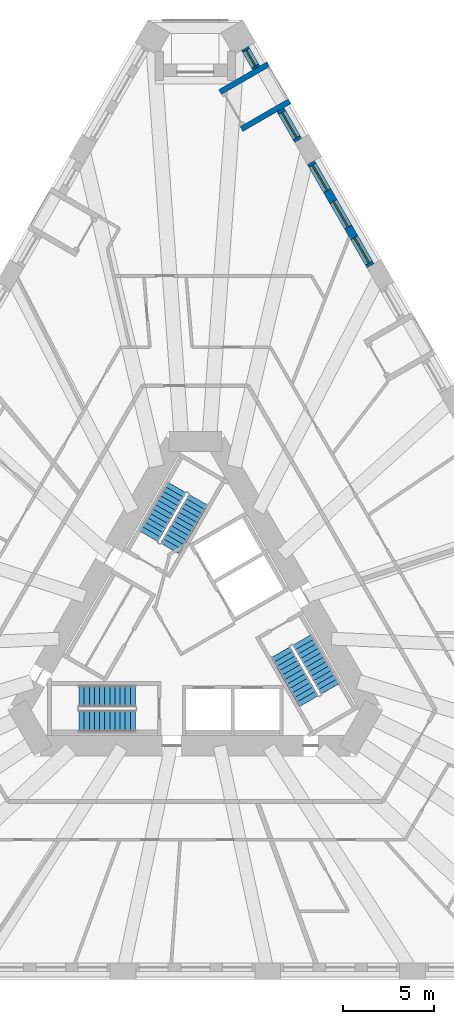
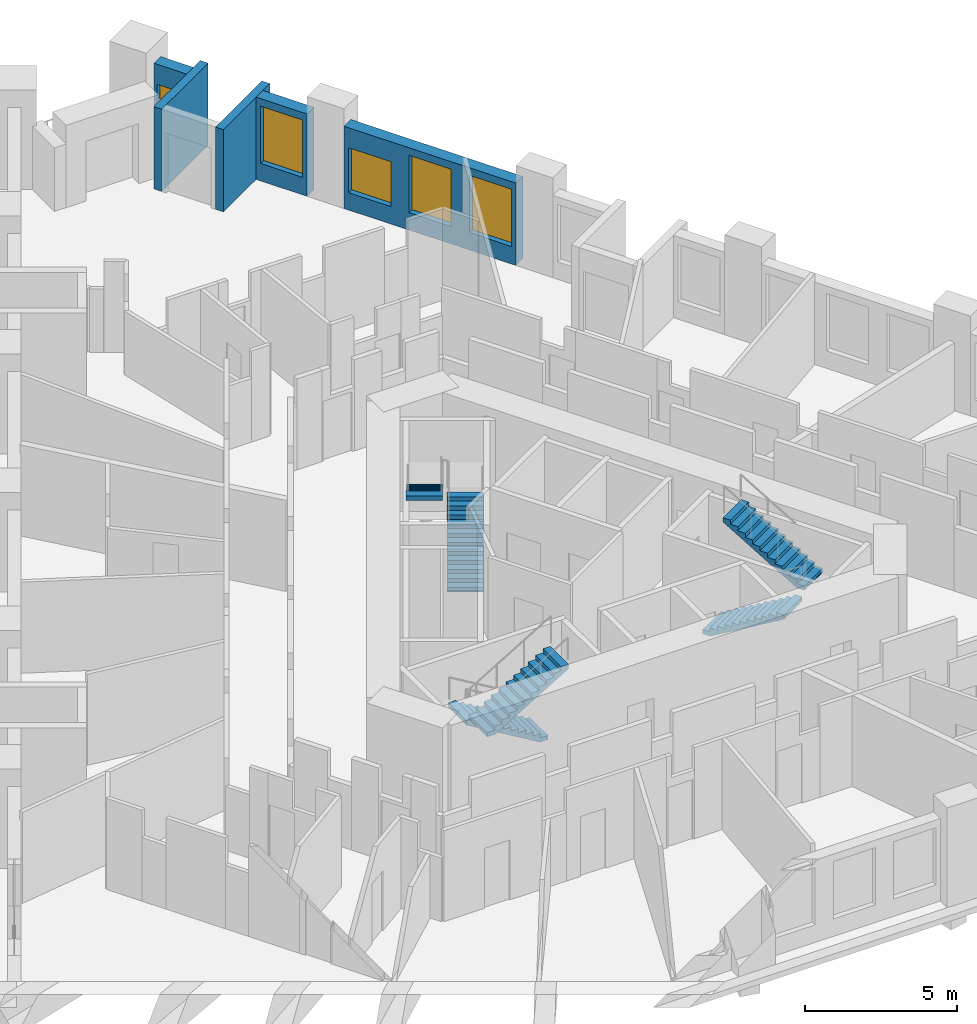
# One storey, part 10 of 14: 6 stair flights, 5 walls, 5 windows, 5 openings, 3 elements without a shape of their own.
"""IFC4 building model written with IfcOpenShell, lengths in metres."""

from ifc_helpers import new_model, si_unit, direction, frame, frame_2d, origin, place, context, subcontext, project, spatial, polyline, rectangle, outline, extrude, material, layer, layer_set, type_object, element, fill, aggregate, save


model = new_model("IFC4")

# Units and contexts
model_context = context("Model", 3, precision=1e-05, world=origin(), true_north=direction((0.0, 1.0)))
body_context = subcontext(model_context, "Body", "Model", "MODEL_VIEW")
ifc_project = project(units=[si_unit("LENGTHUNIT", "METRE"), si_unit("AREAUNIT", "SQUARE_METRE"), si_unit("VOLUMEUNIT", "CUBIC_METRE"), si_unit("PLANEANGLEUNIT", "RADIAN"), si_unit("MASSUNIT", "GRAM", prefix="KILO")], contexts=[model_context])

# Site, building, storey
site_placement = place(None, origin())
site = spatial("IfcSite", under=ifc_project, at=site_placement, CompositionType="ELEMENT")
building_placement = place(site_placement, origin())
building = spatial("IfcBuilding", under=site, at=building_placement, Name="Tramontana Tower", CompositionType="ELEMENT")
storey_placement = place(building_placement, frame((0.0, 0.0, 38.0)))
storey = spatial("IfcBuildingStorey", under=building, at=storey_placement, Name="L07", CompositionType="ELEMENT", Elevation=38.0)

# Wall, openings, windows
ifc_material_1 = material(Name="Precast concrete 60 MPa", Category="concrete")
ifc_layer_1 = layer(ifc_material_1, 0.449951171875)
ifc_layer_set_1 = layer_set([ifc_layer_1], Name="Precast concrete 60 MPa, 450 mm")
wall_type_1 = type_object("IfcWallType", Name="EW1 Stone-faced precast wall 450", PredefinedType="SOLIDWALL", material=ifc_layer_set_1)
wall_1_placement = place(storey_placement, frame((9.58154296875, 20.054443359375, 0.0), z_axis=(0.0, 0.0, 1.0), x_axis=(-0.500002371706, 0.866024034475, 0.0)))
wall_1 = element("IfcWall", 1, at=wall_1_placement, inside=storey, type_object=wall_type_1, Name="External wall L07 face 2 bay 6", PredefinedType="SOLIDWALL", context=body_context, shape_type="SweptSolid", body=[
    extrude(rectangle(XDim=6.51806640625, YDim=0.449951171875, at=frame_2d((3.259033203125, 0.0))), origin(), (0.0, 0.0, 1.0), 3.300048828125),
])
opening_1_placement = place(wall_1_placement, frame((0.169677734375, 0.0, 0.699951171875)))
opening_1 = element("IfcOpeningElement", 2, at=opening_1_placement, cuts=wall_1, Name="Opening M1", PredefinedType="OPENING", context=body_context, shape_type="SweptSolid", body=[
    extrude(rectangle(XDim=1.60009765625, YDim=2.300048828125, at=frame_2d((0.800048828125, 1.14990234375))), frame((0.0, 0.23486328125, 0.0), z_axis=(0.0, -1.0, 0.0), x_axis=(1.0, 0.0, 0.0)), (0.0, 0.0, 1.0), 0.469970703125),
])
opening_2_placement = place(wall_1_placement, frame((2.458984375, 0.0, 0.699951171875)))
opening_2 = element("IfcOpeningElement", 3, at=opening_2_placement, cuts=wall_1, Name="Opening M1", PredefinedType="OPENING", context=body_context, shape_type="SweptSolid", body=[
    extrude(rectangle(XDim=1.60009765625, YDim=2.300048828125, at=frame_2d((0.800048828125, 1.14990234375))), frame((0.0, 0.23486328125, 0.0), z_axis=(0.0, -1.0, 0.0), x_axis=(1.0, 0.0, 0.0)), (0.0, 0.0, 1.0), 0.469970703125),
])
opening_3_placement = place(wall_1_placement, frame((4.748291015625, 0.0, 0.699951171875)))
opening_3 = element("IfcOpeningElement", 4, at=opening_3_placement, cuts=wall_1, Name="Opening M1L", PredefinedType="OPENING", context=body_context, shape_type="SweptSolid", body=[
    extrude(rectangle(XDim=1.60009765625, YDim=1.800048828125, at=frame_2d((0.800048828125, 0.89990234375))), frame((0.0, 0.23486328125, 0.0), z_axis=(0.0, -1.0, 0.0), x_axis=(1.0, 0.0, 0.0)), (0.0, 0.0, 1.0), 0.469970703125),
])
ifc_material_2 = material(Name="Aluminum frame, double glazing unit", Category="aluminium")
window_type_1 = type_object("IfcWindowType", Name="M1 Window 1.6 x 2.3", PartitioningType="SINGLE_PANEL", PredefinedType="WINDOW", material=ifc_material_2)
window_1_placement = place(opening_1_placement, origin())
window_1 = element("IfcWindow", 5, at=window_1_placement, inside=storey, type_object=window_type_1, Name="Window M1 L07 face 2 module 16", OverallHeight=2.300048828125, OverallWidth=1.60009765625, PartitioningType="SINGLE_PANEL", PredefinedType="WINDOW", context=body_context, shape_type="SweptSolid", body=[
    extrude(rectangle(XDim=1.60009765625, YDim=2.300048828125, at=frame_2d((0.800048828125, 1.14990234375))), frame((0.0, 0.030029296875, 0.0), z_axis=(0.0, -1.0, 0.0), x_axis=(1.0, 0.0, 0.0)), (0.0, 0.0, 1.0), 0.06005859375),
])
fill(opening_1, window_1)
window_2_placement = place(opening_2_placement, origin())
window_2 = element("IfcWindow", 6, at=window_2_placement, inside=storey, type_object=window_type_1, Name="Window M1 L07 face 2 module 17", OverallHeight=2.300048828125, OverallWidth=1.60009765625, PartitioningType="SINGLE_PANEL", PredefinedType="WINDOW", context=body_context, shape_type="SweptSolid", body=[
    extrude(rectangle(XDim=1.60009765625, YDim=2.300048828125, at=frame_2d((0.800048828125, 1.14990234375))), frame((0.0, 0.030029296875, 0.0), z_axis=(0.0, -1.0, 0.0), x_axis=(1.0, 0.0, 0.0)), (0.0, 0.0, 1.0), 0.06005859375),
])
fill(opening_2, window_2)
ifc_material_3 = material(Name="Aluminum frame, double glazing unit", Category="aluminium")
window_type_2 = type_object("IfcWindowType", Name="M1L Window 1.6 x 1.8", PartitioningType="SINGLE_PANEL", PredefinedType="WINDOW", material=ifc_material_3)
window_3_placement = place(opening_3_placement, origin())
window_3 = element("IfcWindow", 7, at=window_3_placement, inside=storey, type_object=window_type_2, Name="Window M1L L07 face 2 module 18", OverallHeight=1.800048828125, OverallWidth=1.60009765625, PartitioningType="SINGLE_PANEL", PredefinedType="WINDOW", context=body_context, shape_type="SweptSolid", body=[
    extrude(rectangle(XDim=1.60009765625, YDim=1.800048828125, at=frame_2d((0.800048828125, 0.89990234375))), frame((0.0, 0.030029296875, 0.0), z_axis=(0.0, -1.0, 0.0), x_axis=(1.0, 0.0, 0.0)), (0.0, 0.0, 1.0), 0.06005859375),
])
fill(opening_3, window_3)

# Wall, opening, window
wall_2_placement = place(storey_placement, frame((5.62255859375, 26.91162109375, 0.0), z_axis=(0.0, 0.0, 1.0), x_axis=(-0.500038474733, 0.866003189247, 0.0)))
wall_2 = element("IfcWall", 8, at=wall_2_placement, inside=storey, type_object=wall_type_1, Name="External wall L07 face 2 bay 7", PredefinedType="SOLIDWALL", context=body_context, shape_type="SweptSolid", body=[
    extrude(rectangle(XDim=1.939208984375, YDim=0.449951171875, at=frame_2d((0.9697265625, 0.0))), origin(), (0.0, 0.0, 1.0), 3.300048828125),
])
opening_4_placement = place(wall_2_placement, frame((0.169677734375, 0.0, 0.699951171875)))
opening_4 = element("IfcOpeningElement", 9, at=opening_4_placement, cuts=wall_2, Name="Opening M1", PredefinedType="OPENING", context=body_context, shape_type="SweptSolid", body=[
    extrude(rectangle(XDim=1.60009765625, YDim=2.300048828125, at=frame_2d((0.800048828125, 1.14990234375))), frame((0.0, 0.23486328125, 0.0), z_axis=(0.0, -1.0, 0.0), x_axis=(1.0, 0.0, 0.0)), (0.0, 0.0, 1.0), 0.469970703125),
])
window_4_placement = place(opening_4_placement, origin())
window_4 = element("IfcWindow", 10, at=window_4_placement, inside=storey, type_object=window_type_1, Name="Window M1 L07 face 2 module 19", OverallHeight=2.300048828125, OverallWidth=1.60009765625, PartitioningType="SINGLE_PANEL", PredefinedType="WINDOW", context=body_context, shape_type="SweptSolid", body=[
    extrude(rectangle(XDim=1.60009765625, YDim=2.300048828125, at=frame_2d((0.800048828125, 1.14990234375))), frame((0.0, 0.030029296875, 0.0), z_axis=(0.0, -1.0, 0.0), x_axis=(1.0, 0.0, 0.0)), (0.0, 0.0, 1.0), 0.06005859375),
])
fill(opening_4, window_4)

wall_3_placement = place(storey_placement, frame((3.333251953125, 30.876708984375, 0.0), z_axis=(0.0, 0.0, 1.0), x_axis=(-0.499995303914, 0.866028115054, 0.0)))
wall_3 = element("IfcWall", 11, at=wall_3_placement, inside=storey, type_object=wall_type_1, Name="External wall L07 face 2 bay 7", PredefinedType="SOLIDWALL", context=body_context, shape_type="SweptSolid", body=[
    extrude(rectangle(XDim=1.2392578125, YDim=0.449951171875, at=frame_2d((0.61962890625, 0.0))), origin(), (0.0, 0.0, 1.0), 3.300048828125),
])
opening_5_placement = place(wall_3_placement, frame((0.11962890625, 0.0, 0.699951171875)))
opening_5 = element("IfcOpeningElement", 12, at=opening_5_placement, cuts=wall_3, Name="Opening N1L", PredefinedType="OPENING", context=body_context, shape_type="SweptSolid", body=[
    extrude(rectangle(XDim=1.0, YDim=1.800048828125, at=frame_2d((0.5, 0.89990234375))), frame((0.0, 0.23486328125, 0.0), z_axis=(0.0, -1.0, 0.0), x_axis=(1.0, 0.0, 0.0)), (0.0, 0.0, 1.0), 0.469970703125),
])
ifc_material_4 = material(Name="Aluminum frame, double glazing unit", Category="aluminium")
window_type_3 = type_object("IfcWindowType", Name="N1L Window 1 x 1.8", PartitioningType="SINGLE_PANEL", PredefinedType="WINDOW", material=ifc_material_4)
window_5_placement = place(opening_5_placement, origin())
window_5 = element("IfcWindow", 13, at=window_5_placement, inside=storey, type_object=window_type_3, Name="Window N1L L07 face 2 module 21", OverallHeight=1.800048828125, OverallWidth=1.0, PartitioningType="SINGLE_PANEL", PredefinedType="WINDOW", context=body_context, shape_type="SweptSolid", body=[
    extrude(rectangle(XDim=1.0, YDim=1.800048828125, at=frame_2d((0.5, 0.89990234375))), frame((0.0, 0.030029296875, 0.0), z_axis=(0.0, -1.0, 0.0), x_axis=(1.0, 0.0, 0.0)), (0.0, 0.0, 1.0), 0.06005859375),
])
fill(opening_5, window_5)

# Walls
ifc_material_5 = material(Name="Precast concrete 60 MPa", Category="concrete")
ifc_layer_2 = layer(ifc_material_5, 0.300048828125)
ifc_layer_set_2 = layer_set([ifc_layer_2], Name="LW1 Stone-faced loggia wall 300")
wall_type_2 = type_object("IfcWallType", Name="LW1 Stone-faced loggia wall 300", PredefinedType="SOLIDWALL", material=ifc_layer_set_2)
for number, where, z_axis, x_axis, name in (
    (14, (5.162353515625, 29.05859375, 0.0), (0.0, 0.0, 1.0), (-0.8660029625, -0.500038867431, 0.0), "Loggia return L07 G0S2.19a"),
    (15, (3.99267578125, 31.08447265625, 0.0), (0.0, 0.0, 1.0), (-0.8660029625, -0.500038867431, 0.0), "Loggia return L07 G0S2.19b"),
):
    element("IfcWall", number, at=place(storey_placement, frame(where, z_axis=z_axis, x_axis=x_axis)), inside=storey, type_object=wall_type_2, Name=name, PredefinedType="SOLIDWALL", context=body_context, shape_type="SweptSolid", body=[
        extrude(rectangle(XDim=3.050048828125, YDim=0.300048828125, at=frame_2d((1.52490234375, 0.0))), origin(), (0.0, 0.0, 1.0), 3.300048828125),
    ])

# Stair, stair flights
ifc_material_6 = material(Name="Concrete 40 MPa", Category="concrete")
stair_type = type_object("IfcStairType", Name="EXIT STAIR 24 RISERS", PredefinedType="HALF_TURN_STAIR", material=ifc_material_6)
stair_1_placement = place(storey_placement, origin())
stair_1 = element("IfcStair", 16, at=stair_1_placement, inside=storey, type_object=stair_type, Name="L07 Exit stair ST1", PredefinedType="HALF_TURN_STAIR")
ifc_material_7 = material(Name="Concrete 40 MPa", Category="concrete")
ifc_layer_3 = layer(ifc_material_7, 0.14990234375)
ifc_layer_set_3 = layer_set([ifc_layer_3], Name="EXIT STAIR FLIGHT")
stair_flight_type = type_object("IfcStairFlightType", Name="EXIT STAIR FLIGHT", PredefinedType="STRAIGHT", material=ifc_layer_set_3)
stair_flight_1_placement = place(storey_placement, frame((-1.39111328125, 4.590576171875, 0.0), z_axis=(0.0, 0.0, 1.0), x_axis=(0.5, 0.866025403784, 0.0)))
stair_flight_1 = element("IfcStairFlight", 17, at=stair_flight_1_placement, type_object=stair_flight_type, Name="ST1 flight 1", NumberOfRisers=12, NumberOfTreads=11, PredefinedType="STRAIGHT", RiserHeight=0.166666667, TreadLength=0.28, context=body_context, shape_type="SweptSolid", body=[
    extrude(outline(polyline([(-0.006103515625, 0.0), (-0.006103515625, 0.0400390625), (0.0, 0.0400390625), (0.0, 0.166748046875), (0.280029296875, 0.166748046875), (0.280029296875, 0.333251953125), (0.56005859375, 0.333251953125), (0.56005859375, 0.5), (0.840087890625, 0.5), (0.840087890625, 0.666748046875), (1.1201171875, 0.666748046875), (1.1201171875, 0.833251953125), (1.39990234375, 0.833251953125), (1.39990234375, 1.0), (1.679931640625, 1.0), (1.679931640625, 1.166748046875), (1.9599609375, 1.166748046875), (1.9599609375, 1.333251953125), (2.239990234375, 1.333251953125), (2.239990234375, 1.5), (2.52001953125, 1.5), (2.52001953125, 1.666748046875), (2.800048828125, 1.666748046875), (2.800048828125, 1.833251953125), (3.080078125, 1.833251953125), (3.0859375, 1.833251953125), (3.0859375, 1.658935546875), (0.299072265625, 0.0), (-0.006103515625, 0.0)])), frame((0.0, 0.60009765625, 0.0), z_axis=(0.0, -1.0, 0.0), x_axis=(1.0, 0.0, 0.0)), (0.0, 0.0, 1.0), 1.199951171875),
])
stair_flight_2_placement = place(storey_placement, frame((-1.020263671875, 7.932861328125, 2.0), z_axis=(0.0, 0.0, 1.0), x_axis=(-0.5, -0.866025403784, 0.0)))
stair_flight_2 = element("IfcStairFlight", 18, at=stair_flight_2_placement, type_object=stair_flight_type, Name="ST1 flight 2", NumberOfRisers=12, NumberOfTreads=11, PredefinedType="STRAIGHT", RiserHeight=0.166666667, TreadLength=0.28, context=body_context, shape_type="SweptSolid", body=[
    extrude(outline(polyline([(-0.006103515625, 0.0), (-0.006103515625, 0.0400390625), (0.0, 0.0400390625), (0.0, 0.166748046875), (0.280029296875, 0.166748046875), (0.280029296875, 0.333251953125), (0.56005859375, 0.333251953125), (0.56005859375, 0.5), (0.840087890625, 0.5), (0.840087890625, 0.666748046875), (1.1201171875, 0.666748046875), (1.1201171875, 0.833251953125), (1.39990234375, 0.833251953125), (1.39990234375, 1.0), (1.679931640625, 1.0), (1.679931640625, 1.166748046875), (1.9599609375, 1.166748046875), (1.9599609375, 1.333251953125), (2.239990234375, 1.333251953125), (2.239990234375, 1.5), (2.52001953125, 1.5), (2.52001953125, 1.666748046875), (2.800048828125, 1.666748046875), (2.800048828125, 1.833251953125), (3.080078125, 1.833251953125), (3.0859375, 1.833251953125), (3.0859375, 1.658935546875), (0.299072265625, 0.0), (-0.006103515625, 0.0)])), frame((0.0, 0.60009765625, 0.0), z_axis=(0.0, -1.0, 0.0), x_axis=(1.0, 0.0, 0.0)), (0.0, 0.0, 1.0), 1.199951171875),
])
aggregate(stair_1, [stair_flight_1, stair_flight_2])

stair_2_placement = place(storey_placement, origin())
stair_2 = element("IfcStair", 19, at=stair_2_placement, inside=storey, type_object=stair_type, Name="L07 Exit stair ST2", PredefinedType="HALF_TURN_STAIR")
stair_flight_3_placement = place(storey_placement, frame((-3.280029296875, -3.5, 0.0), z_axis=(0.0, 0.0, 1.0), x_axis=(-1.0, 0.0, 0.0)))
stair_flight_3 = element("IfcStairFlight", 20, at=stair_flight_3_placement, type_object=stair_flight_type, Name="ST2 flight 1", NumberOfRisers=12, NumberOfTreads=11, PredefinedType="STRAIGHT", RiserHeight=0.166666667, TreadLength=0.28, context=body_context, shape_type="SweptSolid", body=[
    extrude(outline(polyline([(-0.006103515625, 0.0), (-0.006103515625, 0.0400390625), (0.0, 0.0400390625), (0.0, 0.166748046875), (0.280029296875, 0.166748046875), (0.280029296875, 0.333251953125), (0.56005859375, 0.333251953125), (0.56005859375, 0.5), (0.840087890625, 0.5), (0.840087890625, 0.666748046875), (1.1201171875, 0.666748046875), (1.1201171875, 0.833251953125), (1.39990234375, 0.833251953125), (1.39990234375, 1.0), (1.679931640625, 1.0), (1.679931640625, 1.166748046875), (1.9599609375, 1.166748046875), (1.9599609375, 1.333251953125), (2.239990234375, 1.333251953125), (2.239990234375, 1.5), (2.52001953125, 1.5), (2.52001953125, 1.666748046875), (2.800048828125, 1.666748046875), (2.800048828125, 1.833251953125), (3.080078125, 1.833251953125), (3.0859375, 1.833251953125), (3.0859375, 1.658935546875), (0.299072265625, 0.0), (-0.006103515625, 0.0)])), frame((0.0, 0.60009765625, 0.0), z_axis=(0.0, -1.0, 0.0), x_axis=(1.0, 0.0, 0.0)), (0.0, 0.0, 1.0), 1.199951171875),
])
stair_flight_4_placement = place(storey_placement, frame((-6.360107421875, -4.85009765625, 2.0), z_axis=(0.0, 0.0, 1.0), x_axis=(1.0, 0.0, 0.0)))
stair_flight_4 = element("IfcStairFlight", 21, at=stair_flight_4_placement, type_object=stair_flight_type, Name="ST2 flight 2", NumberOfRisers=12, NumberOfTreads=11, PredefinedType="STRAIGHT", RiserHeight=0.166666667, TreadLength=0.28, context=body_context, shape_type="SweptSolid", body=[
    extrude(outline(polyline([(-0.006103515625, 0.0), (-0.006103515625, 0.0400390625), (0.0, 0.0400390625), (0.0, 0.166748046875), (0.280029296875, 0.166748046875), (0.280029296875, 0.333251953125), (0.56005859375, 0.333251953125), (0.56005859375, 0.5), (0.840087890625, 0.5), (0.840087890625, 0.666748046875), (1.1201171875, 0.666748046875), (1.1201171875, 0.833251953125), (1.39990234375, 0.833251953125), (1.39990234375, 1.0), (1.679931640625, 1.0), (1.679931640625, 1.166748046875), (1.9599609375, 1.166748046875), (1.9599609375, 1.333251953125), (2.239990234375, 1.333251953125), (2.239990234375, 1.5), (2.52001953125, 1.5), (2.52001953125, 1.666748046875), (2.800048828125, 1.666748046875), (2.800048828125, 1.833251953125), (3.080078125, 1.833251953125), (3.0859375, 1.833251953125), (3.0859375, 1.658935546875), (0.299072265625, 0.0), (-0.006103515625, 0.0)])), frame((0.0, 0.60009765625, 0.0), z_axis=(0.0, -1.0, 0.0), x_axis=(1.0, 0.0, 0.0)), (0.0, 0.0, 1.0), 1.199951171875),
])
aggregate(stair_2, [stair_flight_3, stair_flight_4])

stair_3_placement = place(storey_placement, origin())
stair_3 = element("IfcStair", 22, at=stair_3_placement, inside=storey, type_object=stair_type, Name="L07 Exit stair ST3", PredefinedType="HALF_TURN_STAIR")
stair_flight_5_placement = place(storey_placement, frame((4.671142578125, -1.090576171875, 0.0), z_axis=(0.0, 0.0, 1.0), x_axis=(0.5, -0.866025403784, 0.0)))
stair_flight_5 = element("IfcStairFlight", 23, at=stair_flight_5_placement, type_object=stair_flight_type, Name="ST3 flight 1", NumberOfRisers=12, NumberOfTreads=11, PredefinedType="STRAIGHT", RiserHeight=0.166666667, TreadLength=0.28, context=body_context, shape_type="SweptSolid", body=[
    extrude(outline(polyline([(-0.006103515625, 0.0), (-0.006103515625, 0.0400390625), (0.0, 0.0400390625), (0.0, 0.166748046875), (0.280029296875, 0.166748046875), (0.280029296875, 0.333251953125), (0.56005859375, 0.333251953125), (0.56005859375, 0.5), (0.840087890625, 0.5), (0.840087890625, 0.666748046875), (1.1201171875, 0.666748046875), (1.1201171875, 0.833251953125), (1.39990234375, 0.833251953125), (1.39990234375, 1.0), (1.679931640625, 1.0), (1.679931640625, 1.166748046875), (1.9599609375, 1.166748046875), (1.9599609375, 1.333251953125), (2.239990234375, 1.333251953125), (2.239990234375, 1.5), (2.52001953125, 1.5), (2.52001953125, 1.666748046875), (2.800048828125, 1.666748046875), (2.800048828125, 1.833251953125), (3.080078125, 1.833251953125), (3.0859375, 1.833251953125), (3.0859375, 1.658935546875), (0.299072265625, 0.0), (-0.006103515625, 0.0)])), frame((0.0, 0.60009765625, 0.0), z_axis=(0.0, -1.0, 0.0), x_axis=(1.0, 0.0, 0.0)), (0.0, 0.0, 1.0), 1.199951171875),
])
stair_flight_6_placement = place(storey_placement, frame((7.380126953125, -3.0830078125, 2.0), z_axis=(0.0, 0.0, 1.0), x_axis=(-0.5, 0.866025403784, 0.0)))
stair_flight_6 = element("IfcStairFlight", 24, at=stair_flight_6_placement, type_object=stair_flight_type, Name="ST3 flight 2", NumberOfRisers=12, NumberOfTreads=11, PredefinedType="STRAIGHT", RiserHeight=0.166666667, TreadLength=0.28, context=body_context, shape_type="SweptSolid", body=[
    extrude(outline(polyline([(-0.006103515625, 0.0), (-0.006103515625, 0.0400390625), (0.0, 0.0400390625), (0.0, 0.166748046875), (0.280029296875, 0.166748046875), (0.280029296875, 0.333251953125), (0.56005859375, 0.333251953125), (0.56005859375, 0.5), (0.840087890625, 0.5), (0.840087890625, 0.666748046875), (1.1201171875, 0.666748046875), (1.1201171875, 0.833251953125), (1.39990234375, 0.833251953125), (1.39990234375, 1.0), (1.679931640625, 1.0), (1.679931640625, 1.166748046875), (1.9599609375, 1.166748046875), (1.9599609375, 1.333251953125), (2.239990234375, 1.333251953125), (2.239990234375, 1.5), (2.52001953125, 1.5), (2.52001953125, 1.666748046875), (2.800048828125, 1.666748046875), (2.800048828125, 1.833251953125), (3.080078125, 1.833251953125), (3.0859375, 1.833251953125), (3.0859375, 1.658935546875), (0.299072265625, 0.0), (-0.006103515625, 0.0)])), frame((0.0, 0.60009765625, 0.0), z_axis=(0.0, -1.0, 0.0), x_axis=(1.0, 0.0, 0.0)), (0.0, 0.0, 1.0), 1.199951171875),
])
aggregate(stair_3, [stair_flight_5, stair_flight_6])

save(model, "model.ifc")
